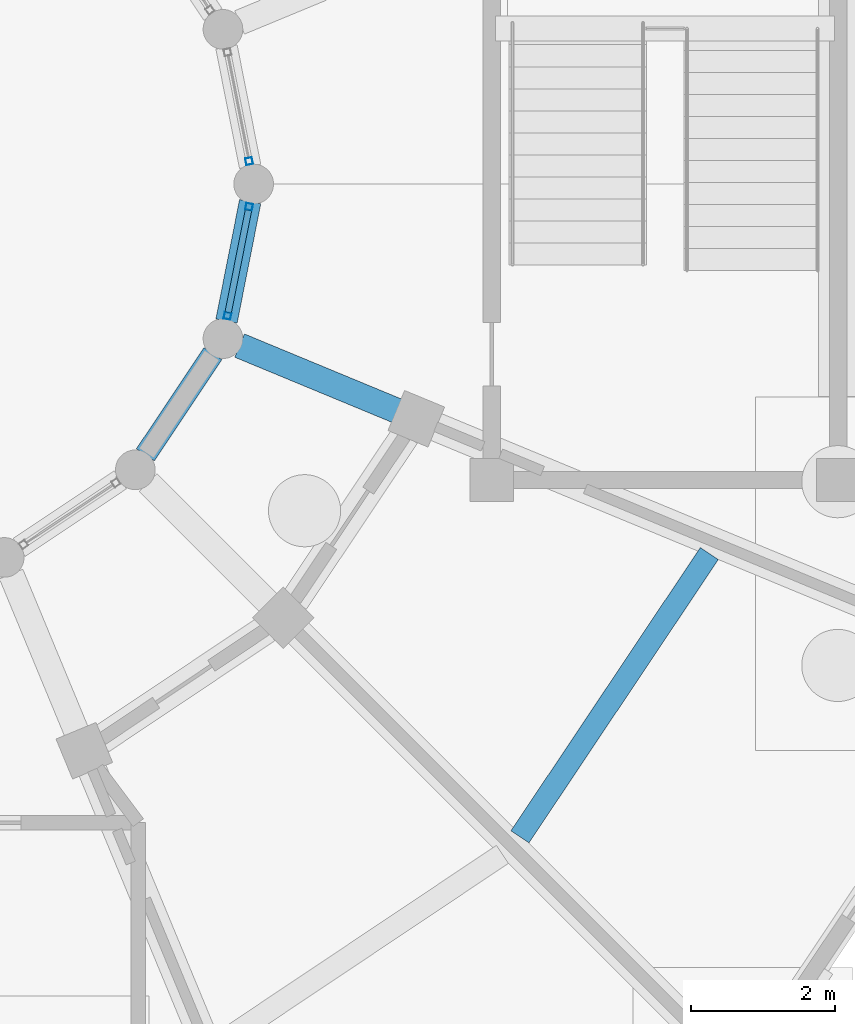
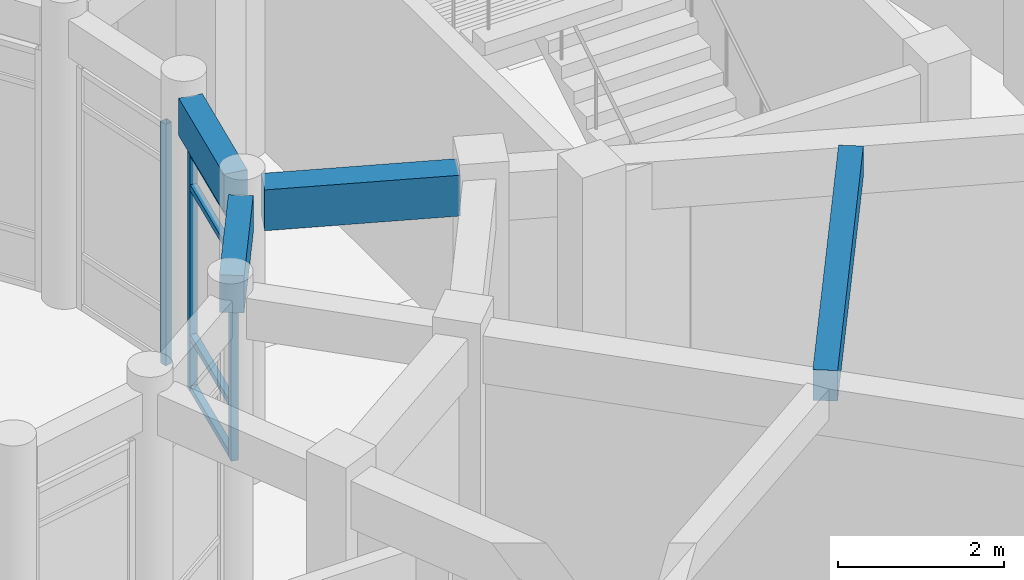
# One storey, part 63 of 153: 7 members, 4 beams, 2 elements without a shape of their own.
"""IFC4 building model written with IfcOpenShell, lengths in metres."""

from ifc_helpers import new_model, si_unit, direction, frame, origin, origin_2d, place, context, subcontext, project, spatial, rectangle, hollow_rectangle, extrude, material, material_profile, profile_set, type_object, element, aggregate, save


model = new_model("IFC4")

# Units and contexts
model_context = context("Model", 3, precision=1e-05, world=origin(), true_north=direction((0.0, 1.0)))
body_context = subcontext(model_context, "Body", "Model", "MODEL_VIEW")
ifc_project = project(units=[si_unit("LENGTHUNIT", "METRE"), si_unit("AREAUNIT", "SQUARE_METRE"), si_unit("VOLUMEUNIT", "CUBIC_METRE"), si_unit("PLANEANGLEUNIT", "RADIAN"), si_unit("MASSUNIT", "GRAM", prefix="KILO")], contexts=[model_context])

# Site, building, storey
site_placement = place(None, origin())
site = spatial("IfcSite", under=ifc_project, at=site_placement, CompositionType="ELEMENT")
building_placement = place(site_placement, origin())
building = spatial("IfcBuilding", under=site, at=building_placement, Name="Celadon Cloister-Ring School", CompositionType="ELEMENT")
storey_placement = place(building_placement, origin())
storey = spatial("IfcBuildingStorey", under=building, at=storey_placement, Name="L00", CompositionType="ELEMENT", Elevation=0.0)

# Beam
ifc_material_1 = material(Name="Concrete C35/45", Category="concrete")
ifc_material_profile_1 = material_profile(ifc_material_1, rectangle(XDim=0.35009765625, YDim=0.60009765625, at=origin_2d()), Name="RC350X600")
ifc_profile_set_1 = profile_set([ifc_material_profile_1], Name="Concrete C35/45")
beam_type_1 = type_object("IfcBeamType", Name="BT-02", PredefinedType="BEAM", material=ifc_profile_set_1)
beam_1_placement = place(storey_placement, frame((27.799072265625, 93.85205078125, 3.9599609375), z_axis=(-0.923862714127, 0.382724033014, 0.0), x_axis=(-0.382724033014, -0.923862714127, 0.0)))
element("IfcBeam", 1, at=beam_1_placement, inside=storey, type_object=beam_type_1, Name="Beam 0612", PredefinedType="BEAM", context=body_context, shape_type="SweptSolid", body=[
    extrude(rectangle(XDim=0.35009765625, YDim=0.60009765625, at=origin_2d()), origin(), (0.0, 0.0, 1.0), 2.375),
])

# Curtain wall, member
ifc_material_2 = material(Name="Aluminium EN AW-6063 T6", Category="aluminium")
curtain_wall_type = type_object("IfcCurtainWallType", Name="CW-03", PredefinedType="USERDEFINED", material=ifc_material_2)
curtain_wall_1_placement = place(storey_placement, origin())
curtain_wall_1 = element("IfcCurtainWall", 2, at=curtain_wall_1_placement, inside=storey, type_object=curtain_wall_type, Name="Curtain Wall 0079", ObjectType="CURTAIN WALL", PredefinedType="USERDEFINED")
ifc_material_3 = material(Name="Aluminium EN AW-6063 T6", Category="aluminium")
ifc_material_profile_2 = material_profile(ifc_material_3, hollow_rectangle(XDim=0.094970703125, YDim=0.094970703125, WallThickness=0.00390625, at=origin_2d()), Name="RHS95X95X4")
ifc_profile_set_2 = profile_set([ifc_material_profile_2], Name="Aluminium EN AW-6063 T6")
member_type_1 = type_object("IfcMemberType", Name="CM-02", PredefinedType="MULLION", material=ifc_profile_set_2)
member_1_placement = place(storey_placement, frame((25.73681640625, 97.316650390625, 0.0), z_axis=(0.0, 0.0, 1.0), x_axis=(-0.980885435464, -0.194586131301, 0.0)))
member_1 = element("IfcMember", 3, at=member_1_placement, type_object=member_type_1, Name="CW-03 mullion 1", PredefinedType="MULLION", context=body_context, shape_type="SweptSolid", body=[
    extrude(hollow_rectangle(XDim=0.094970703125, YDim=0.094970703125, WallThickness=0.00390625, at=origin_2d()), origin(), (0.0, 0.0, 1.0), 3.550048828125),
])
aggregate(curtain_wall_1, [member_1])

# Curtain wall, members
curtain_wall_2_placement = place(storey_placement, origin())
curtain_wall_2 = element("IfcCurtainWall", 4, at=curtain_wall_2_placement, inside=storey, type_object=curtain_wall_type, Name="Curtain Wall 0090", ObjectType="CURTAIN WALL", PredefinedType="USERDEFINED")
member_2_placement = place(storey_placement, frame((25.437255859375, 95.173583984375, 0.0), z_axis=(0.0, 0.0, 1.0), x_axis=(-0.980885435464, 0.194586131301, 0.0)))
member_2 = element("IfcMember", 5, at=member_2_placement, type_object=member_type_1, Name="CW-03 mullion 1", PredefinedType="MULLION", context=body_context, shape_type="SweptSolid", body=[
    extrude(hollow_rectangle(XDim=0.094970703125, YDim=0.094970703125, WallThickness=0.00390625, at=origin_2d()), origin(), (0.0, 0.0, 1.0), 3.550048828125),
])
member_3_placement = place(storey_placement, frame((25.73681640625, 96.683349609375, 0.0), z_axis=(0.0, 0.0, 1.0), x_axis=(-0.980885435464, 0.194586131301, 0.0)))
member_3 = element("IfcMember", 6, at=member_3_placement, type_object=member_type_1, Name="CW-03 mullion 2", PredefinedType="MULLION", context=body_context, shape_type="SweptSolid", body=[
    extrude(hollow_rectangle(XDim=0.094970703125, YDim=0.094970703125, WallThickness=0.00390625, at=origin_2d()), origin(), (0.0, 0.0, 1.0), 3.550048828125),
])
ifc_material_4 = material(Name="Aluminium EN AW-6063 T6", Category="aluminium")
ifc_material_profile_3 = material_profile(ifc_material_4, hollow_rectangle(XDim=0.090087890625, YDim=0.090087890625, WallThickness=0.00390625, at=origin_2d()), Name="RHS90X90X4")
ifc_profile_set_3 = profile_set([ifc_material_profile_3], Name="Aluminium EN AW-6063 T6")
member_type_2 = type_object("IfcMemberType", Name="CTM-02", PredefinedType="USERDEFINED", material=ifc_profile_set_3)
member_4_placement = place(storey_placement, frame((25.446533203125, 95.22021484375, 0.044921875), z_axis=(0.194587856315, 0.980885093257, 0.0), x_axis=(-0.980885093257, 0.194587856315, 0.0)))
member_4 = element("IfcMember", 7, at=member_4_placement, type_object=member_type_2, Name="CW-03 transom 1.1", ObjectType="TRANSOM", PredefinedType="USERDEFINED", context=body_context, shape_type="SweptSolid", body=[
    extrude(hollow_rectangle(XDim=0.090087890625, YDim=0.090087890625, WallThickness=0.00390625, at=origin_2d()), origin(), (0.0, 0.0, 1.0), 1.444091796875),
])
member_5_placement = place(storey_placement, frame((25.446533203125, 95.22021484375, 0.800048828125), z_axis=(0.194587856315, 0.980885093257, 0.0), x_axis=(-0.980885093257, 0.194587856315, 0.0)))
member_5 = element("IfcMember", 8, at=member_5_placement, type_object=member_type_2, Name="CW-03 transom 1.2", ObjectType="TRANSOM", PredefinedType="USERDEFINED", context=body_context, shape_type="SweptSolid", body=[
    extrude(hollow_rectangle(XDim=0.090087890625, YDim=0.090087890625, WallThickness=0.00390625, at=origin_2d()), origin(), (0.0, 0.0, 1.0), 1.444091796875),
])
member_6_placement = place(storey_placement, frame((25.446533203125, 95.22021484375, 3.0), z_axis=(0.194587856315, 0.980885093257, 0.0), x_axis=(-0.980885093257, 0.194587856315, 0.0)))
member_6 = element("IfcMember", 9, at=member_6_placement, type_object=member_type_2, Name="CW-03 transom 1.3", ObjectType="TRANSOM", PredefinedType="USERDEFINED", context=body_context, shape_type="SweptSolid", body=[
    extrude(hollow_rectangle(XDim=0.090087890625, YDim=0.090087890625, WallThickness=0.00390625, at=origin_2d()), origin(), (0.0, 0.0, 1.0), 1.444091796875),
])
member_7_placement = place(storey_placement, frame((25.446533203125, 95.22021484375, 3.5048828125), z_axis=(0.194587856315, 0.980885093257, 0.0), x_axis=(-0.980885093257, 0.194587856315, 0.0)))
member_7 = element("IfcMember", 10, at=member_7_placement, type_object=member_type_2, Name="CW-03 transom 1.4", ObjectType="TRANSOM", PredefinedType="USERDEFINED", context=body_context, shape_type="SweptSolid", body=[
    extrude(hollow_rectangle(XDim=0.090087890625, YDim=0.090087890625, WallThickness=0.00390625, at=origin_2d()), origin(), (0.0, 0.0, 1.0), 1.444091796875),
])
aggregate(curtain_wall_2, [member_2, member_3, member_4, member_5, member_6, member_7])

# Beams
ifc_material_5 = material(Name="Concrete C35/45", Category="concrete")
ifc_material_profile_4 = material_profile(ifc_material_5, rectangle(XDim=0.300048828125, YDim=0.449951171875, at=origin_2d()), Name="RC300X450")
ifc_profile_set_4 = profile_set([ifc_material_profile_4], Name="Concrete C35/45")
beam_type_2 = type_object("IfcBeamType", Name="JT-01", PredefinedType="JOIST", material=ifc_profile_set_4)
beam_2_placement = place(storey_placement, frame((29.489013671875, 87.9541015625, 4.034912109375), z_axis=(0.555797592992, 0.831317650254, 0.0), x_axis=(-0.831317650254, 0.555797592992, 0.0)))
element("IfcBeam", 11, at=beam_2_placement, inside=storey, type_object=beam_type_2, Name="Beam 0657", PredefinedType="JOIST", context=body_context, shape_type="SweptSolid", body=[
    extrude(rectangle(XDim=0.300048828125, YDim=0.449951171875, at=origin_2d()), origin(), (0.0, 0.0, 1.0), 4.72119140625),
])
ifc_material_6 = material(Name="Concrete C35/45", Category="concrete")
ifc_material_profile_5 = material_profile(ifc_material_6, rectangle(XDim=0.300048828125, YDim=0.550048828125, at=origin_2d()), Name="RC300X550")
ifc_profile_set_5 = profile_set([ifc_material_profile_5], Name="Concrete C35/45")
beam_type_3 = type_object("IfcBeamType", Name="SP-02", PredefinedType="SPANDREL", material=ifc_profile_set_5)
beam_3_placement = place(storey_placement, frame((24.299072265625, 93.248046875, 3.985107421875), z_axis=(0.555569328961, 0.831470216374, 0.0), x_axis=(-0.831470216374, 0.555569328961, 0.0)))
element("IfcBeam", 12, at=beam_3_placement, inside=storey, type_object=beam_type_3, Name="Beam 0656", PredefinedType="SPANDREL", context=body_context, shape_type="SweptSolid", body=[
    extrude(rectangle(XDim=0.300048828125, YDim=0.550048828125, at=origin_2d()), origin(), (0.0, 0.0, 1.0), 1.684814453125),
])
beam_4_placement = place(storey_placement, frame((25.423095703125, 95.10205078125, 3.985107421875), z_axis=(0.194583435458, 0.980885970256, 0.0), x_axis=(-0.980885970256, 0.194583435458, 0.0)))
element("IfcBeam", 13, at=beam_4_placement, inside=storey, type_object=beam_type_3, Name="Beam 0659", PredefinedType="SPANDREL", context=body_context, shape_type="SweptSolid", body=[
    extrude(rectangle(XDim=0.300048828125, YDim=0.550048828125, at=origin_2d()), origin(), (0.0, 0.0, 1.0), 1.68505859375),
])

save(model, "model.ifc")
